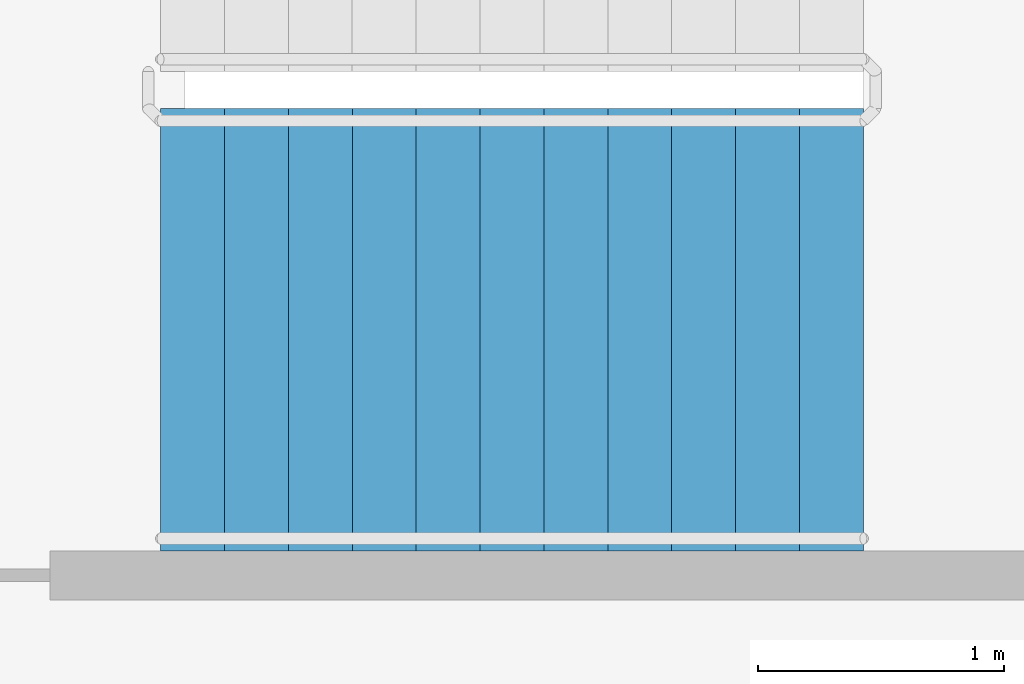
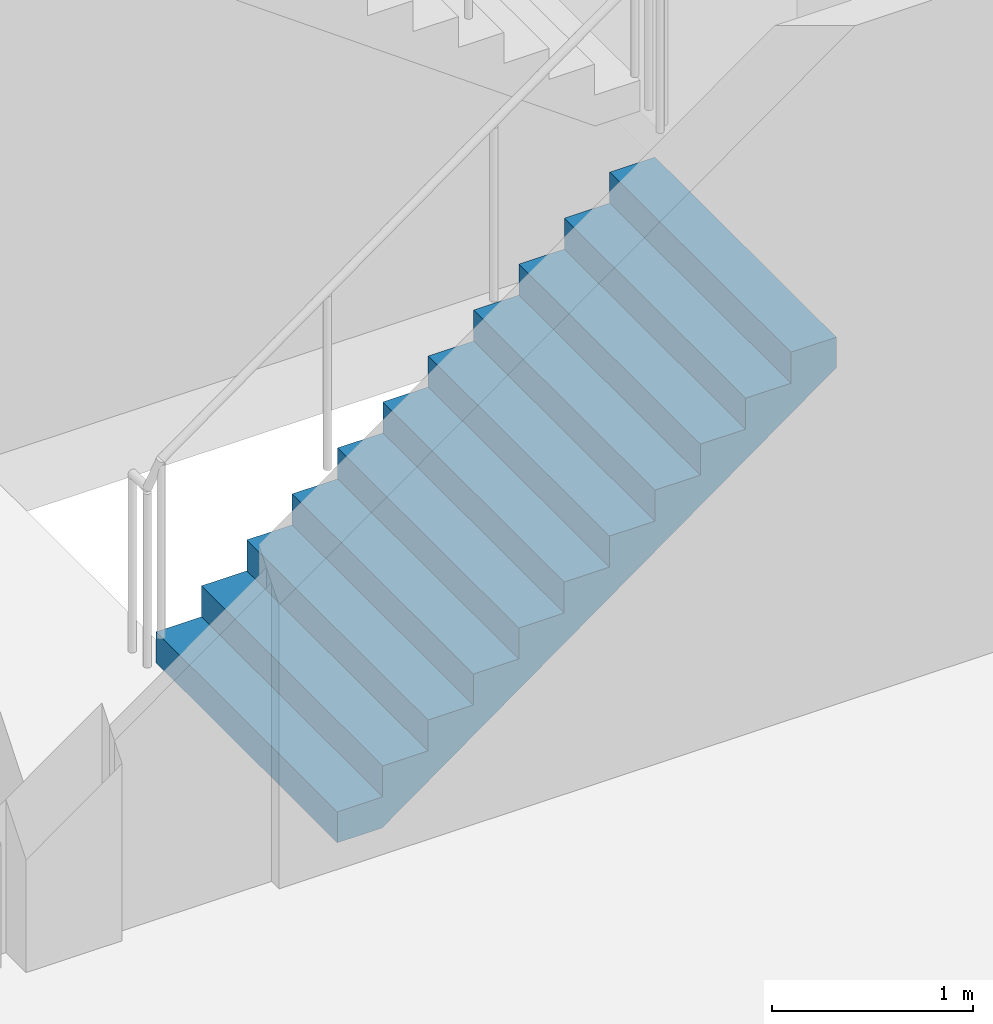
# One storey, part 36 of 49: 1 stair flight, 1 element without a shape of its own.
"""IFC4 building model written with IfcOpenShell, lengths in metres."""

import ifcopenshell
import ifcopenshell.guid

model = None  # the IFC model being written
_history = None  # IfcOwnerHistory: only IFC2X3 demands one
_inside = {}  # id of a spatial element -> (the spatial element, [elements in it])
_under = {}  # id of a project, library or spatial element -> (it, [spatial elements below it])
_declared = {}  # id of a project -> (the project, [libraries it declares])
_typed = {}  # id of a type object -> (the type object, [elements of that type])
_made_of = {}  # id of a material, layer set ... -> (it, [elements and type objects made of it])


def new_model(schema):
    """Start an empty IFC model of exactly this schema.

    Asked for "IFC4X3", IfcOpenShell would pick the latest addendum, in which some entities
    have other attributes; the version numbers below select the first issue.
    IFC2X3 requires an IfcOwnerHistory on every rooted entity: one is made here for all.
    """
    global model, _history
    if schema == "IFC4X3":
        model = ifcopenshell.file(schema_version=(4, 3, 0, 0))
    else:
        model = ifcopenshell.file(schema=schema)
    _inside.clear()
    _under.clear()
    _declared.clear()
    _typed.clear()
    _made_of.clear()
    _history = None
    if model.schema == "IFC2X3":
        org = make("IfcOrganization", Name="unknown")
        user = make(
            "IfcPersonAndOrganization",
            ThePerson=make("IfcPerson", FamilyName="unknown"),
            TheOrganization=org,
        )
        app = make(
            "IfcApplication",
            ApplicationDeveloper=org,
            Version="unknown",
            ApplicationFullName="unknown",
            ApplicationIdentifier="unknown",
        )
        _history = make(
            "IfcOwnerHistory",
            OwningUser=user,
            OwningApplication=app,
            ChangeAction="ADDED",
            CreationDate=0,
        )
    return model


def make(cls, **values):
    """One entity of the class cls with the attributes given. An attribute that is None is left unset."""
    return model.create_entity(
        cls, **{name: value for name, value in values.items() if value is not None}
    )


def rooted(cls, **values):
    """An entity with a GlobalId (a new one), such as an element, a storey or a relation."""
    return make(cls, GlobalId=ifcopenshell.guid.new(), OwnerHistory=_history, **values)


def si_unit(unit_type, name, prefix=None):
    """IfcSIUnit, for example si_unit("LENGTHUNIT", "METRE", prefix="MILLI")."""
    return make("IfcSIUnit", UnitType=unit_type, Prefix=prefix, Name=name)


def assignment(units):
    """IfcUnitAssignment: the units of a project."""
    return None if units is None else make("IfcUnitAssignment", Units=units)


def point(xyz):
    """IfcCartesianPoint."""
    return None if xyz is None else make("IfcCartesianPoint", Coordinates=xyz)


def direction(xyz):
    """IfcDirection."""
    return None if xyz is None else make("IfcDirection", DirectionRatios=xyz)


def frame(location, z_axis=None, x_axis=None):
    """IfcAxis2Placement3D, a coordinate frame: its origin and axes. An axis left out is left unset."""
    return make(
        "IfcAxis2Placement3D",
        Location=point(location),
        Axis=direction(z_axis),
        RefDirection=direction(x_axis),
    )


def origin():
    """The frame at (0, 0, 0) with its axes left unset."""
    return frame((0.0, 0.0, 0.0))


def place(relative_to, where):
    """IfcLocalPlacement: puts the frame where relative to a parent placement (None: the world)."""
    return make(
        "IfcLocalPlacement", PlacementRelTo=relative_to, RelativePlacement=where
    )


def context(
    kind, dimensions, precision=None, world=None, true_north=None, identifier=None
):
    """IfcGeometricRepresentationContext, for example the 3D "Model" context."""
    return make(
        "IfcGeometricRepresentationContext",
        ContextIdentifier=identifier,
        ContextType=kind,
        CoordinateSpaceDimension=dimensions,
        Precision=precision,
        WorldCoordinateSystem=world,
        TrueNorth=true_north,
    )


def subcontext(parent, identifier, kind, view, scale=None):
    """IfcGeometricRepresentationSubContext, for example "Body" below "Model"."""
    return make(
        "IfcGeometricRepresentationSubContext",
        ContextIdentifier=identifier,
        ContextType=kind,
        ParentContext=parent,
        TargetScale=scale,
        TargetView=view,
    )


def project(units=None, contexts=None):
    """IfcProject with its units and contexts."""
    return rooted(
        "IfcProject",
        Name="project",
        RepresentationContexts=contexts,
        UnitsInContext=assignment(units),
    )


def spatial(cls, under=None, at=None, **own):
    """A site, building, storey or space (cls), placed at a placement, below another one or the project."""
    s = rooted(cls, ObjectPlacement=at, **own)
    if under is not None:
        _under.setdefault(under.id(), (under, []))[1].append(s)
    return s


def faces_of(points, faces, orient=None, outer=None):
    """IfcFace entities. A face is a list of loops; a loop is a list of indices into points, from 0.

    orient and outer hold one flag for each loop. By default every Orientation is true, the
    first loop of a face is its IfcFaceOuterBound and the others are IfcFaceBound.
    """
    made = []
    for i, loops in enumerate(faces):
        bounds = []
        for j, loop in enumerate(loops):
            is_outer = j == 0 if outer is None else outer[i][j]
            bounds.append(
                make(
                    "IfcFaceOuterBound" if is_outer else "IfcFaceBound",
                    Bound=make("IfcPolyLoop", Polygon=[points[k] for k in loop]),
                    Orientation=True if orient is None else orient[i][j],
                )
            )
        made.append(make("IfcFace", Bounds=bounds))
    return made


def faceted_brep(points, faces, orient=None, outer=None, voids=None):
    """IfcFacetedBrep: a solid bounded by flat faces; with voids (closed shells), ...WithVoids."""
    shared = [point(p) for p in points]
    hull = make("IfcClosedShell", CfsFaces=faces_of(shared, faces, orient, outer))
    if voids is None:
        return make("IfcFacetedBrep", Outer=hull)
    return make(
        "IfcFacetedBrepWithVoids",
        Outer=hull,
        Voids=[
            make(cls, CfsFaces=faces_of(shared, fs, o, b)) for cls, fs, o, b in voids
        ],
    )


def shape(context_of_items, identifier, shape_type, items):
    """IfcShapeRepresentation: the items that make up one representation, for example the "Body"."""
    return make(
        "IfcShapeRepresentation",
        ContextOfItems=context_of_items,
        RepresentationIdentifier=identifier,
        RepresentationType=shape_type,
        Items=items,
    )


def material(Name=None, Category=None):
    """IfcMaterial."""
    return make("IfcMaterial", Name=Name, Category=Category)


def made_of(thing, what):
    """Note that an element or type object is made of a material, layer set ...; save() writes the relation."""
    if what is not None:
        _made_of.setdefault(what.id(), (what, []))[1].append(thing)
    return thing


def type_object(cls, material=None, **own):
    """A type object (cls), such as IfcWallType, which elements share."""
    return made_of(rooted(cls, **own), material)


def element(
    cls,
    number,
    at=None,
    inside=None,
    cuts=None,
    type_object=None,
    material=None,
    context=None,
    identifier="Body",
    shape_type=None,
    held_by="IfcProductDefinitionShape",
    body=None,
    shapes=None,
    **own,
):
    """One element of the class cls, such as IfcWall. Its Tag is "e" and its number.

    at: its placement. inside: the storey or other place that contains it. cuts: it is an
    opening in that element (IfcRelVoidsElement). A single representation is given by context,
    identifier, shape_type and body (its items); several are given by shapes. held_by: the class
    of the entity that holds the representations. save() writes the other relations.
    """
    e = rooted(cls, Tag="e%d" % number, ObjectPlacement=at, **own)
    if body is not None:
        shapes = [shape(context, identifier, shape_type, body)]
    if shapes is not None:
        e.Representation = make(held_by, Representations=shapes)
    if inside is not None:
        _inside.setdefault(inside.id(), (inside, []))[1].append(e)
    if cuts is not None:
        rooted(
            "IfcRelVoidsElement", RelatingBuildingElement=cuts, RelatedOpeningElement=e
        )
    if type_object is not None:
        _typed.setdefault(type_object.id(), (type_object, []))[1].append(e)
    return made_of(e, material)


def aggregate(whole, parts):
    """IfcRelAggregates: a whole, such as a stair, and the parts it consists of."""
    return rooted("IfcRelAggregates", RelatingObject=whole, RelatedObjects=parts)


def save(model, path):
    """Write the relations noted so far, then the file.

    IfcRelAggregates (storeys below a building ...), IfcRelContainedInSpatialStructure (elements
    in a storey), IfcRelDefinesByType, IfcRelAssociatesMaterial and IfcRelDeclares: one each for
    every whole, place, type object, material and project.
    """
    for whole, parts in _under.values():
        aggregate(whole, parts)
    for where, things in _inside.values():
        rooted(
            "IfcRelContainedInSpatialStructure",
            RelatedElements=things,
            RelatingStructure=where,
        )
    for kind, things in _typed.values():
        rooted("IfcRelDefinesByType", RelatedObjects=things, RelatingType=kind)
    for what, things in _made_of.values():
        rooted("IfcRelAssociatesMaterial", RelatedObjects=things, RelatingMaterial=what)
    for by, libraries in _declared.values():
        rooted("IfcRelDeclares", RelatingContext=by, RelatedDefinitions=libraries)
    model.write(path)


model = new_model("IFC4")

# Units and contexts
model_context = context("Model", 3, precision=1e-05, world=origin(), true_north=direction((0.0, 1.0)))
body_context = subcontext(model_context, "Body", "Model", "MODEL_VIEW")
ifc_project = project(units=[si_unit("LENGTHUNIT", "METRE"), si_unit("AREAUNIT", "SQUARE_METRE"), si_unit("VOLUMEUNIT", "CUBIC_METRE"), si_unit("PLANEANGLEUNIT", "RADIAN"), si_unit("MASSUNIT", "GRAM", prefix="KILO")], contexts=[model_context])

# Site, building, storey
site_placement = place(None, origin())
site = spatial("IfcSite", under=ifc_project, at=site_placement, CompositionType="ELEMENT")
building_placement = place(site_placement, origin())
building = spatial("IfcBuilding", under=site, at=building_placement, Name="Ipe Terrace Towers", CompositionType="ELEMENT")
storey_placement = place(building_placement, frame((0.0, 0.0, 20.0)))
storey = spatial("IfcBuildingStorey", under=building, at=storey_placement, Name="L04", CompositionType="ELEMENT", Elevation=20.0)

# Stair, stair flight
ifc_material_1 = material(Name="Concrete C30/37", Category="concrete")
stair_type = type_object("IfcStairType", Name="Protected exit stair", PredefinedType="HALF_TURN_STAIR", material=ifc_material_1)
stair_placement = place(storey_placement, origin())
stair = element("IfcStair", 1, at=stair_placement, inside=storey, type_object=stair_type, Name="L04 Podium exit stair PS6", PredefinedType="HALF_TURN_STAIR")
ifc_material_2 = material(Name="Concrete C30/37", Category="concrete")
stair_flight_type = type_object("IfcStairFlightType", Name="Exit stair flight 1800", PredefinedType="STRAIGHT", material=ifc_material_2)
stair_flight_placement = place(storey_placement, frame((49.77001953125, -22.5, 0.0), z_axis=(0.0, 0.0, 1.0), x_axis=(1.0, 0.0, 0.0)))
stair_flight = element("IfcStairFlight", 2, at=stair_flight_placement, type_object=stair_flight_type, Name="PS6 flight 1", NumberOfRisers=12, NumberOfTreads=11, PredefinedType="STRAIGHT", RiserHeight=0.1875, TreadLength=0.26, context=body_context, shape_type="Brep", body=[
    faceted_brep([(0.25634765625, -0.89990234375, 0.0), (2.860107421875, -0.89990234375, 1.877685546875), (2.860107421875, -0.89990234375, 2.0625), (2.60009765625, -0.89990234375, 2.0625), (2.60009765625, -0.89990234375, 1.875), (2.340087890625, -0.89990234375, 1.875), (2.340087890625, -0.89990234375, 1.6875), (2.080078125, -0.89990234375, 1.6875), (2.080078125, -0.89990234375, 1.5), (1.820068359375, -0.89990234375, 1.5), (1.820068359375, -0.89990234375, 1.3125), (1.56005859375, -0.89990234375, 1.3125), (1.56005859375, -0.89990234375, 1.125), (1.300048828125, -0.89990234375, 1.125), (1.300048828125, -0.89990234375, 0.9375), (1.0400390625, -0.89990234375, 0.9375), (1.0400390625, -0.89990234375, 0.75), (0.780029296875, -0.89990234375, 0.75), (0.780029296875, -0.89990234375, 0.5625), (0.52001953125, -0.89990234375, 0.5625), (0.52001953125, -0.89990234375, 0.375), (0.260009765625, -0.89990234375, 0.375), (0.260009765625, -0.89990234375, 0.1875), (0.0, -0.89990234375, 0.1875), (0.0, -0.89990234375, 0.0), (0.0, 0.89990234375, 0.0), (0.0, 0.89990234375, 0.1875), (0.260009765625, 0.89990234375, 0.1875), (0.260009765625, 0.89990234375, 0.375), (0.52001953125, 0.89990234375, 0.375), (0.52001953125, 0.89990234375, 0.5625), (0.780029296875, 0.89990234375, 0.5625), (0.780029296875, 0.89990234375, 0.75), (1.0400390625, 0.89990234375, 0.75), (1.0400390625, 0.89990234375, 0.9375), (1.300048828125, 0.89990234375, 0.9375), (1.300048828125, 0.89990234375, 1.125), (1.56005859375, 0.89990234375, 1.125), (1.56005859375, 0.89990234375, 1.3125), (1.820068359375, 0.89990234375, 1.3125), (1.820068359375, 0.89990234375, 1.5), (2.080078125, 0.89990234375, 1.5), (2.080078125, 0.89990234375, 1.6875), (2.340087890625, 0.89990234375, 1.6875), (2.340087890625, 0.89990234375, 1.875), (2.60009765625, 0.89990234375, 1.875), (2.60009765625, 0.89990234375, 2.0625), (2.860107421875, 0.89990234375, 2.0625), (2.860107421875, 0.89990234375, 1.877685546875), (0.25634765625, 0.89990234375, 0.0), (0.0, -0.300048828125, 0.1875), (0.0, -0.1201171875, 0.1875), (0.0, -0.06005859375, 0.1875), (0.0, -0.030029296875, 0.1875), (0.0, -0.010009765625, 0.1875), (0.0, 0.0, 0.1875), (0.0, 0.010009765625, 0.1875), (0.0, 0.030029296875, 0.1875), (0.0, 0.06005859375, 0.1875), (0.0, 0.1201171875, 0.1875), (0.0, 0.300048828125, 0.1875), (0.0, 0.300048828125, 0.0), (0.0, 0.1201171875, 0.0), (0.0, 0.06005859375, 0.0), (0.0, 0.030029296875, 0.0), (0.0, 0.010009765625, 0.0), (0.0, 0.0, 0.0), (0.0, -0.010009765625, 0.0), (0.0, -0.030029296875, 0.0), (0.0, -0.06005859375, 0.0), (0.0, -0.1201171875, 0.0), (0.0, -0.300048828125, 0.0), (0.260009765625, -0.300048828125, 0.1875), (0.260009765625, -0.1201171875, 0.1875), (0.260009765625, -0.06005859375, 0.1875), (0.260009765625, -0.030029296875, 0.1875), (0.260009765625, -0.010009765625, 0.1875), (0.260009765625, 0.0, 0.1875), (0.260009765625, 0.010009765625, 0.1875), (0.260009765625, 0.030029296875, 0.1875), (0.260009765625, 0.06005859375, 0.1875), (0.260009765625, 0.1201171875, 0.1875), (0.260009765625, 0.300048828125, 0.1875), (0.260009765625, -0.300048828125, 0.375), (0.260009765625, -0.1201171875, 0.375), (0.260009765625, -0.06005859375, 0.375), (0.260009765625, -0.030029296875, 0.375), (0.260009765625, -0.010009765625, 0.375), (0.260009765625, 0.0, 0.375), (0.260009765625, 0.010009765625, 0.375), (0.260009765625, 0.030029296875, 0.375), (0.260009765625, 0.06005859375, 0.375), (0.260009765625, 0.1201171875, 0.375), (0.260009765625, 0.300048828125, 0.375), (0.52001953125, -0.300048828125, 0.375), (0.52001953125, -0.1201171875, 0.375), (0.52001953125, -0.06005859375, 0.375), (0.52001953125, -0.030029296875, 0.375), (0.52001953125, -0.010009765625, 0.375), (0.52001953125, 0.0, 0.375), (0.52001953125, 0.010009765625, 0.375), (0.52001953125, 0.030029296875, 0.375), (0.52001953125, 0.06005859375, 0.375), (0.52001953125, 0.1201171875, 0.375), (0.52001953125, 0.300048828125, 0.375), (0.52001953125, -0.300048828125, 0.5625), (0.52001953125, -0.1201171875, 0.5625), (0.52001953125, -0.06005859375, 0.5625), (0.52001953125, -0.030029296875, 0.5625), (0.52001953125, -0.010009765625, 0.5625), (0.52001953125, 0.0, 0.5625), (0.52001953125, 0.010009765625, 0.5625), (0.52001953125, 0.030029296875, 0.5625), (0.52001953125, 0.06005859375, 0.5625), (0.52001953125, 0.1201171875, 0.5625), (0.52001953125, 0.300048828125, 0.5625), (0.780029296875, -0.300048828125, 0.5625), (0.780029296875, -0.1201171875, 0.5625), (0.780029296875, -0.06005859375, 0.5625), (0.780029296875, -0.030029296875, 0.5625), (0.780029296875, -0.010009765625, 0.5625), (0.780029296875, 0.0, 0.5625), (0.780029296875, 0.010009765625, 0.5625), (0.780029296875, 0.030029296875, 0.5625), (0.780029296875, 0.06005859375, 0.5625), (0.780029296875, 0.1201171875, 0.5625), (0.780029296875, 0.300048828125, 0.5625), (0.780029296875, -0.300048828125, 0.75), (0.780029296875, -0.1201171875, 0.75), (0.780029296875, -0.06005859375, 0.75), (0.780029296875, -0.030029296875, 0.75), (0.780029296875, -0.010009765625, 0.75), (0.780029296875, 0.0, 0.75), (0.780029296875, 0.010009765625, 0.75), (0.780029296875, 0.030029296875, 0.75), (0.780029296875, 0.06005859375, 0.75), (0.780029296875, 0.1201171875, 0.75), (0.780029296875, 0.300048828125, 0.75), (1.0400390625, -0.300048828125, 0.75), (1.0400390625, -0.1201171875, 0.75), (1.0400390625, -0.06005859375, 0.75), (1.0400390625, -0.030029296875, 0.75), (1.0400390625, -0.010009765625, 0.75), (1.0400390625, 0.0, 0.75), (1.0400390625, 0.010009765625, 0.75), (1.0400390625, 0.030029296875, 0.75), (1.0400390625, 0.06005859375, 0.75), (1.0400390625, 0.1201171875, 0.75), (1.0400390625, 0.300048828125, 0.75), (1.0400390625, -0.300048828125, 0.9375), (1.0400390625, -0.1201171875, 0.9375), (1.0400390625, -0.06005859375, 0.9375), (1.0400390625, -0.030029296875, 0.9375), (1.0400390625, -0.010009765625, 0.9375), (1.0400390625, 0.0, 0.9375), (1.0400390625, 0.010009765625, 0.9375), (1.0400390625, 0.030029296875, 0.9375), (1.0400390625, 0.06005859375, 0.9375), (1.0400390625, 0.1201171875, 0.9375), (1.0400390625, 0.300048828125, 0.9375), (1.300048828125, -0.300048828125, 0.9375), (1.300048828125, -0.1201171875, 0.9375), (1.300048828125, -0.06005859375, 0.9375), (1.300048828125, -0.030029296875, 0.9375), (1.300048828125, -0.010009765625, 0.9375), (1.300048828125, 0.0, 0.9375), (1.300048828125, 0.010009765625, 0.9375), (1.300048828125, 0.030029296875, 0.9375), (1.300048828125, 0.06005859375, 0.9375), (1.300048828125, 0.1201171875, 0.9375), (1.300048828125, 0.300048828125, 0.9375), (1.300048828125, -0.300048828125, 1.125), (1.300048828125, -0.1201171875, 1.125), (1.300048828125, -0.06005859375, 1.125), (1.300048828125, -0.030029296875, 1.125), (1.300048828125, -0.010009765625, 1.125), (1.300048828125, 0.0, 1.125), (1.300048828125, 0.010009765625, 1.125), (1.300048828125, 0.030029296875, 1.125), (1.300048828125, 0.06005859375, 1.125), (1.300048828125, 0.1201171875, 1.125), (1.300048828125, 0.300048828125, 1.125), (1.56005859375, -0.300048828125, 1.125), (1.56005859375, -0.1201171875, 1.125), (1.56005859375, -0.06005859375, 1.125), (1.56005859375, -0.030029296875, 1.125), (1.56005859375, -0.010009765625, 1.125), (1.56005859375, 0.0, 1.125), (1.56005859375, 0.010009765625, 1.125), (1.56005859375, 0.030029296875, 1.125), (1.56005859375, 0.06005859375, 1.125), (1.56005859375, 0.1201171875, 1.125), (1.56005859375, 0.300048828125, 1.125), (1.56005859375, -0.300048828125, 1.3125), (1.56005859375, -0.1201171875, 1.3125), (1.56005859375, -0.06005859375, 1.3125), (1.56005859375, -0.030029296875, 1.3125), (1.56005859375, -0.010009765625, 1.3125), (1.56005859375, 0.0, 1.3125), (1.56005859375, 0.010009765625, 1.3125), (1.56005859375, 0.030029296875, 1.3125), (1.56005859375, 0.06005859375, 1.3125), (1.56005859375, 0.1201171875, 1.3125), (1.56005859375, 0.300048828125, 1.3125), (1.820068359375, -0.300048828125, 1.3125), (1.820068359375, -0.1201171875, 1.3125), (1.820068359375, -0.06005859375, 1.3125), (1.820068359375, -0.030029296875, 1.3125), (1.820068359375, -0.010009765625, 1.3125), (1.820068359375, 0.0, 1.3125), (1.820068359375, 0.010009765625, 1.3125), (1.820068359375, 0.030029296875, 1.3125), (1.820068359375, 0.06005859375, 1.3125), (1.820068359375, 0.1201171875, 1.3125), (1.820068359375, 0.300048828125, 1.3125), (1.820068359375, -0.300048828125, 1.5), (1.820068359375, -0.1201171875, 1.5), (1.820068359375, -0.06005859375, 1.5), (1.820068359375, -0.030029296875, 1.5), (1.820068359375, -0.010009765625, 1.5), (1.820068359375, 0.0, 1.5), (1.820068359375, 0.010009765625, 1.5), (1.820068359375, 0.030029296875, 1.5), (1.820068359375, 0.06005859375, 1.5), (1.820068359375, 0.1201171875, 1.5), (1.820068359375, 0.300048828125, 1.5), (2.080078125, -0.300048828125, 1.5), (2.080078125, -0.1201171875, 1.5), (2.080078125, -0.06005859375, 1.5), (2.080078125, -0.030029296875, 1.5), (2.080078125, -0.010009765625, 1.5), (2.080078125, 0.0, 1.5), (2.080078125, 0.010009765625, 1.5), (2.080078125, 0.030029296875, 1.5), (2.080078125, 0.06005859375, 1.5), (2.080078125, 0.1201171875, 1.5), (2.080078125, 0.300048828125, 1.5), (2.080078125, -0.300048828125, 1.6875), (2.080078125, -0.1201171875, 1.6875), (2.080078125, -0.06005859375, 1.6875), (2.080078125, -0.030029296875, 1.6875), (2.080078125, -0.010009765625, 1.6875), (2.080078125, 0.0, 1.6875), (2.080078125, 0.010009765625, 1.6875), (2.080078125, 0.030029296875, 1.6875), (2.080078125, 0.06005859375, 1.6875), (2.080078125, 0.1201171875, 1.6875), (2.080078125, 0.300048828125, 1.6875), (2.340087890625, -0.300048828125, 1.6875), (2.340087890625, -0.1201171875, 1.6875), (2.340087890625, -0.06005859375, 1.6875), (2.340087890625, -0.030029296875, 1.6875), (2.340087890625, -0.010009765625, 1.6875), (2.340087890625, 0.0, 1.6875), (2.340087890625, 0.010009765625, 1.6875), (2.340087890625, 0.030029296875, 1.6875), (2.340087890625, 0.06005859375, 1.6875), (2.340087890625, 0.1201171875, 1.6875), (2.340087890625, 0.300048828125, 1.6875), (2.340087890625, -0.300048828125, 1.875), (2.340087890625, -0.1201171875, 1.875), (2.340087890625, -0.06005859375, 1.875), (2.340087890625, -0.030029296875, 1.875), (2.340087890625, -0.010009765625, 1.875), (2.340087890625, 0.0, 1.875), (2.340087890625, 0.010009765625, 1.875), (2.340087890625, 0.030029296875, 1.875), (2.340087890625, 0.06005859375, 1.875), (2.340087890625, 0.1201171875, 1.875), (2.340087890625, 0.300048828125, 1.875), (2.60009765625, -0.300048828125, 1.875), (2.60009765625, -0.1201171875, 1.875), (2.60009765625, -0.06005859375, 1.875), (2.60009765625, -0.030029296875, 1.875), (2.60009765625, -0.010009765625, 1.875), (2.60009765625, 0.0, 1.875), (2.60009765625, 0.010009765625, 1.875), (2.60009765625, 0.030029296875, 1.875), (2.60009765625, 0.06005859375, 1.875), (2.60009765625, 0.1201171875, 1.875), (2.60009765625, 0.300048828125, 1.875), (2.60009765625, -0.300048828125, 2.0625), (2.60009765625, -0.1201171875, 2.0625), (2.60009765625, -0.06005859375, 2.0625), (2.60009765625, -0.030029296875, 2.0625), (2.60009765625, -0.010009765625, 2.0625), (2.60009765625, 0.0, 2.0625), (2.60009765625, 0.010009765625, 2.0625), (2.60009765625, 0.030029296875, 2.0625), (2.60009765625, 0.06005859375, 2.0625), (2.60009765625, 0.1201171875, 2.0625), (2.60009765625, 0.300048828125, 2.0625), (2.860107421875, -0.300048828125, 2.0625), (2.860107421875, -0.1201171875, 2.0625), (2.860107421875, -0.06005859375, 2.0625), (2.860107421875, -0.030029296875, 2.0625), (2.860107421875, -0.010009765625, 2.0625), (2.860107421875, 0.0, 2.0625), (2.860107421875, 0.010009765625, 2.0625), (2.860107421875, 0.030029296875, 2.0625), (2.860107421875, 0.06005859375, 2.0625), (2.860107421875, 0.1201171875, 2.0625), (2.860107421875, 0.300048828125, 2.0625), (2.860107421875, -0.300048828125, 1.877685546875), (2.860107421875, -0.1201171875, 1.877685546875), (2.860107421875, -0.06005859375, 1.877685546875), (2.860107421875, -0.030029296875, 1.877685546875), (2.860107421875, -0.010009765625, 1.877685546875), (2.860107421875, 0.0, 1.877685546875), (2.860107421875, 0.010009765625, 1.877685546875), (2.860107421875, 0.030029296875, 1.877685546875), (2.860107421875, 0.06005859375, 1.877685546875), (2.860107421875, 0.1201171875, 1.877685546875), (2.860107421875, 0.300048828125, 1.877685546875), (0.25634765625, -0.300048828125, 0.0), (0.25634765625, -0.1201171875, 0.0), (0.25634765625, -0.06005859375, 0.0), (0.25634765625, -0.030029296875, 0.0), (0.25634765625, -0.010009765625, 0.0), (0.25634765625, 0.0, 0.0), (0.25634765625, 0.010009765625, 0.0), (0.25634765625, 0.030029296875, 0.0), (0.25634765625, 0.06005859375, 0.0), (0.25634765625, 0.1201171875, 0.0), (0.25634765625, 0.300048828125, 0.0)], [[[0, 1, 2, 3, 4, 5, 6, 7, 8, 9, 10, 11, 12, 13, 14, 15, 16, 17, 18, 19, 20, 21, 22, 23, 24]], [[25, 26, 27, 28, 29, 30, 31, 32, 33, 34, 35, 36, 37, 38, 39, 40, 41, 42, 43, 44, 45, 46, 47, 48, 49]], [[23, 50, 51, 52, 53, 54, 55, 56, 57, 58, 59, 60, 26, 25, 61, 62, 63, 64, 65, 66, 67, 68, 69, 70, 71, 24]], [[22, 72, 73, 74, 75, 76, 77, 78, 79, 80, 81, 82, 27, 26, 60, 59, 58, 57, 56, 55, 54, 53, 52, 51, 50, 23]], [[21, 83, 84, 85, 86, 87, 88, 89, 90, 91, 92, 93, 28, 27, 82, 81, 80, 79, 78, 77, 76, 75, 74, 73, 72, 22]], [[20, 94, 95, 96, 97, 98, 99, 100, 101, 102, 103, 104, 29, 28, 93, 92, 91, 90, 89, 88, 87, 86, 85, 84, 83, 21]], [[19, 105, 106, 107, 108, 109, 110, 111, 112, 113, 114, 115, 30, 29, 104, 103, 102, 101, 100, 99, 98, 97, 96, 95, 94, 20]], [[18, 116, 117, 118, 119, 120, 121, 122, 123, 124, 125, 126, 31, 30, 115, 114, 113, 112, 111, 110, 109, 108, 107, 106, 105, 19]], [[17, 127, 128, 129, 130, 131, 132, 133, 134, 135, 136, 137, 32, 31, 126, 125, 124, 123, 122, 121, 120, 119, 118, 117, 116, 18]], [[16, 138, 139, 140, 141, 142, 143, 144, 145, 146, 147, 148, 33, 32, 137, 136, 135, 134, 133, 132, 131, 130, 129, 128, 127, 17]], [[15, 149, 150, 151, 152, 153, 154, 155, 156, 157, 158, 159, 34, 33, 148, 147, 146, 145, 144, 143, 142, 141, 140, 139, 138, 16]], [[14, 160, 161, 162, 163, 164, 165, 166, 167, 168, 169, 170, 35, 34, 159, 158, 157, 156, 155, 154, 153, 152, 151, 150, 149, 15]], [[13, 171, 172, 173, 174, 175, 176, 177, 178, 179, 180, 181, 36, 35, 170, 169, 168, 167, 166, 165, 164, 163, 162, 161, 160, 14]], [[12, 182, 183, 184, 185, 186, 187, 188, 189, 190, 191, 192, 37, 36, 181, 180, 179, 178, 177, 176, 175, 174, 173, 172, 171, 13]], [[11, 193, 194, 195, 196, 197, 198, 199, 200, 201, 202, 203, 38, 37, 192, 191, 190, 189, 188, 187, 186, 185, 184, 183, 182, 12]], [[10, 204, 205, 206, 207, 208, 209, 210, 211, 212, 213, 214, 39, 38, 203, 202, 201, 200, 199, 198, 197, 196, 195, 194, 193, 11]], [[9, 215, 216, 217, 218, 219, 220, 221, 222, 223, 224, 225, 40, 39, 214, 213, 212, 211, 210, 209, 208, 207, 206, 205, 204, 10]], [[8, 226, 227, 228, 229, 230, 231, 232, 233, 234, 235, 236, 41, 40, 225, 224, 223, 222, 221, 220, 219, 218, 217, 216, 215, 9]], [[7, 237, 238, 239, 240, 241, 242, 243, 244, 245, 246, 247, 42, 41, 236, 235, 234, 233, 232, 231, 230, 229, 228, 227, 226, 8]], [[6, 248, 249, 250, 251, 252, 253, 254, 255, 256, 257, 258, 43, 42, 247, 246, 245, 244, 243, 242, 241, 240, 239, 238, 237, 7]], [[5, 259, 260, 261, 262, 263, 264, 265, 266, 267, 268, 269, 44, 43, 258, 257, 256, 255, 254, 253, 252, 251, 250, 249, 248, 6]], [[4, 270, 271, 272, 273, 274, 275, 276, 277, 278, 279, 280, 45, 44, 269, 268, 267, 266, 265, 264, 263, 262, 261, 260, 259, 5]], [[3, 281, 282, 283, 284, 285, 286, 287, 288, 289, 290, 291, 46, 45, 280, 279, 278, 277, 276, 275, 274, 273, 272, 271, 270, 4]], [[2, 292, 293, 294, 295, 296, 297, 298, 299, 300, 301, 302, 47, 46, 291, 290, 289, 288, 287, 286, 285, 284, 283, 282, 281, 3]], [[1, 303, 304, 305, 306, 307, 308, 309, 310, 311, 312, 313, 48, 47, 302, 301, 300, 299, 298, 297, 296, 295, 294, 293, 292, 2]], [[0, 314, 315, 316, 317, 318, 319, 320, 321, 322, 323, 324, 49, 48, 313, 312, 311, 310, 309, 308, 307, 306, 305, 304, 303, 1]], [[24, 71, 70, 69, 68, 67, 66, 65, 64, 63, 62, 61, 25, 49, 324, 323, 322, 321, 320, 319, 318, 317, 316, 315, 314, 0]]]),
])
aggregate(stair, [stair_flight])

save(model, "model.ifc")
